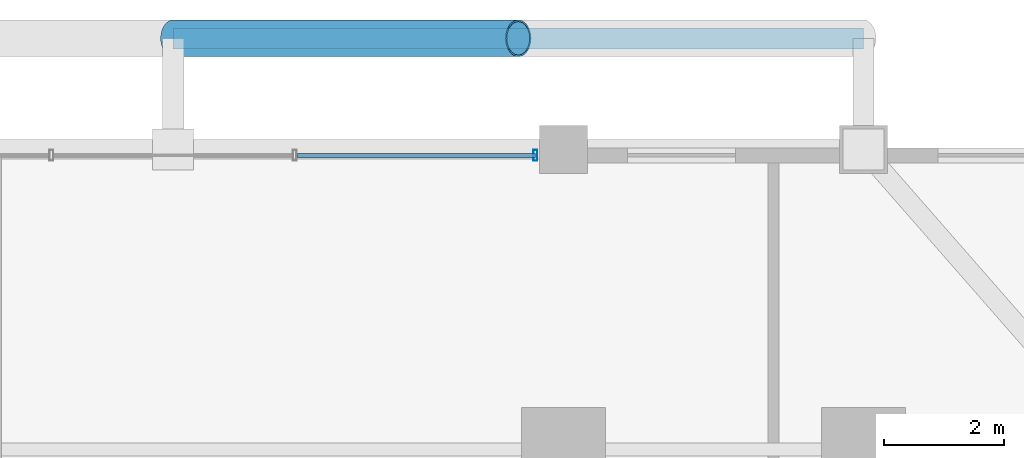
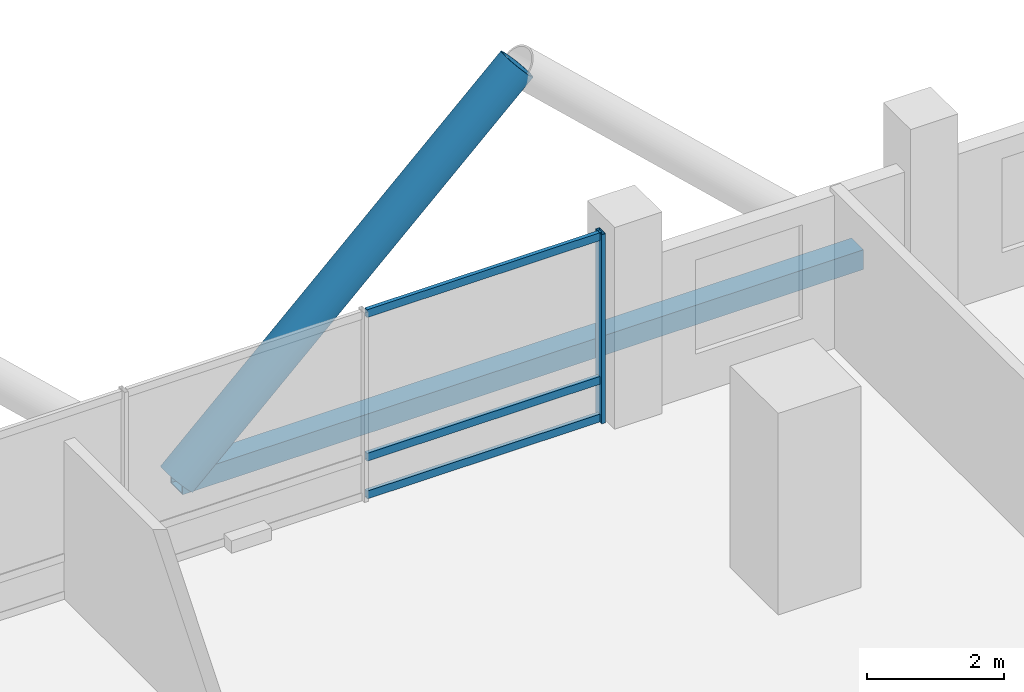
# One storey, part 17 of 26: 6 members, 1 element without a shape of its own.
"""IFC4 building model written with IfcOpenShell, lengths in metres."""

from ifc_helpers import new_model, si_unit, direction, frame, origin, origin_2d, place, context, subcontext, project, spatial, hollow_rectangle, hollow_circle, extrude, material, layer, layer_set, material_profile, profile_set, type_object, element, aggregate, save


model = new_model("IFC4")

# Units and contexts
model_context = context("Model", 3, precision=1e-05, world=origin(), true_north=direction((0.0, 1.0)))
body_context = subcontext(model_context, "Body", "Model", "MODEL_VIEW")
ifc_project = project(units=[si_unit("LENGTHUNIT", "METRE"), si_unit("AREAUNIT", "SQUARE_METRE"), si_unit("VOLUMEUNIT", "CUBIC_METRE"), si_unit("PLANEANGLEUNIT", "RADIAN"), si_unit("MASSUNIT", "GRAM", prefix="KILO")], contexts=[model_context])

# Site, building, storey
site_placement = place(None, origin())
site = spatial("IfcSite", under=ifc_project, at=site_placement, CompositionType="ELEMENT")
building_placement = place(site_placement, origin())
building = spatial("IfcBuilding", under=site, at=building_placement, Name="Barlavira Tower and Art Museum", CompositionType="ELEMENT")
storey_placement = place(building_placement, frame((0.0, 0.0, 82.800048828125)))
storey = spatial("IfcBuildingStorey", under=building, at=storey_placement, Name="L20", CompositionType="ELEMENT", Elevation=82.800048828125)

# Curtain wall, members
ifc_material_1 = material(Name="Low-iron coastal laminated glass", Category="glass")
ifc_layer = layer(ifc_material_1, 0.179931640625, Name="Low-iron coastal laminated glass")
ifc_layer_set = layer_set([ifc_layer], Name="Low-iron coastal laminated glass")
curtain_wall_type = type_object("IfcCurtainWallType", Name="Pale-Metal Unitised Curtain Wall Zone 1", PredefinedType="NOTDEFINED", material=ifc_layer_set)
curtain_wall_placement = place(storey_placement, origin())
curtain_wall = element("IfcCurtainWall", 1, at=curtain_wall_placement, inside=storey, type_object=curtain_wall_type, Name="L20 Curtain Wall CW1-L20-N-B3", PredefinedType="NOTDEFINED")
ifc_material_2 = material(Name="Pale anodised aluminium", Category="aluminium")
ifc_material_profile_1 = material_profile(ifc_material_2, hollow_rectangle(XDim=0.06494140625, YDim=0.179931640625, WallThickness=0.00390625, at=origin_2d()), Name="ALU-MULL 65x180x4")
ifc_profile_set_1 = profile_set([ifc_material_profile_1], Name="Pale anodised aluminium")
member_type_1 = type_object("IfcMemberType", Name="Curtain Wall Pale-Metal Mullion 65x180", PredefinedType="MULLION", material=ifc_profile_set_1)
member_1_placement = place(storey_placement, frame((6.034912109375, 24.89990234375, 0.0), z_axis=(0.0, 0.0, 1.0), x_axis=(-1.0, 0.0, 0.0)))
member_1 = element("IfcMember", 2, at=member_1_placement, type_object=member_type_1, Name="CW1-L20-N-B3 Mullion 0", PredefinedType="MULLION", context=body_context, shape_type="SweptSolid", body=[
    extrude(hollow_rectangle(XDim=0.06494140625, YDim=0.179931640625, WallThickness=0.00390625, at=origin_2d()), origin(), (0.0, 0.0, 1.0), 3.3798828125),
])
ifc_material_profile_2 = material_profile(ifc_material_2, hollow_rectangle(XDim=0.06494140625, YDim=0.139892578125, WallThickness=0.00390625, at=origin_2d()), Name="ALU-TRAN 65x140x4")
ifc_profile_set_2 = profile_set([ifc_material_profile_2], Name="Pale anodised aluminium")
member_type_2 = type_object("IfcMemberType", Name="Curtain Wall Pale-Metal Transom 65x140", PredefinedType="USERDEFINED", material=ifc_profile_set_2)
member_2_placement = place(storey_placement, frame((6.034912109375, 24.89990234375, 0.070068359375), z_axis=(-1.0, 0.0, 0.0), x_axis=(0.0, -1.0, 0.0)))
member_2 = element("IfcMember", 3, at=member_2_placement, type_object=member_type_2, Name="CW1-L20-N-B3 Transom 0.1", ObjectType="TRANSOM", PredefinedType="USERDEFINED", context=body_context, shape_type="SweptSolid", body=[
    extrude(hollow_rectangle(XDim=0.06494140625, YDim=0.139892578125, WallThickness=0.00390625, at=origin_2d()), origin(), (0.0, 0.0, 1.0), 3.963134765625),
])
member_3_placement = place(storey_placement, frame((6.034912109375, 24.89990234375, 0.743896484375), z_axis=(-1.0, 0.0, 0.0), x_axis=(0.0, -1.0, 0.0)))
member_3 = element("IfcMember", 4, at=member_3_placement, type_object=member_type_2, Name="CW1-L20-N-B3 Transom 0.2", ObjectType="TRANSOM", PredefinedType="USERDEFINED", context=body_context, shape_type="SweptSolid", body=[
    extrude(hollow_rectangle(XDim=0.06494140625, YDim=0.139892578125, WallThickness=0.00390625, at=origin_2d()), origin(), (0.0, 0.0, 1.0), 3.963134765625),
])
member_4_placement = place(storey_placement, frame((6.034912109375, 24.89990234375, 3.31005859375), z_axis=(-1.0, 0.0, 0.0), x_axis=(0.0, -1.0, 0.0)))
member_4 = element("IfcMember", 5, at=member_4_placement, type_object=member_type_2, Name="CW1-L20-N-B3 Transom 0.3", ObjectType="TRANSOM", PredefinedType="USERDEFINED", context=body_context, shape_type="SweptSolid", body=[
    extrude(hollow_rectangle(XDim=0.06494140625, YDim=0.139892578125, WallThickness=0.00390625, at=origin_2d()), origin(), (0.0, 0.0, 1.0), 3.963134765625),
])
aggregate(curtain_wall, [member_1, member_2, member_3, member_4])

# Members
ifc_material_3 = material(Name="Steel S355", Category="steel")
ifc_material_profile_3 = material_profile(ifc_material_3, hollow_circle(Radius=0.304931640625, WallThickness=0.028076171875, at=origin_2d()), Name="CHS 610.0x28.0")
ifc_profile_set_3 = profile_set([ifc_material_profile_3], Name="Steel S355")
member_type_3 = type_object("IfcMemberType", Name="Pale-Metal Exoskeleton Diagrid Tube CHS 610x28 Steel S355", PredefinedType="BRACE", material=ifc_profile_set_3)
member_5_placement = place(storey_placement, frame((0.0, 26.85009765625, -0.1201171875), z_axis=(0.728934650808, 0.0, 0.684583285548), x_axis=(0.0, 1.0, 0.0)))
element("IfcMember", 6, at=member_5_placement, inside=storey, type_object=member_type_3, Name="L20 Exoskeleton Diagrid Tube N", PredefinedType="BRACE", context=body_context, shape_type="SweptSolid", body=[
    extrude(hollow_circle(Radius=0.304931640625, WallThickness=0.028076171875, at=origin_2d()), origin(), (0.0, 0.0, 1.0), 7.88818359375),
])
ifc_material_profile_4 = material_profile(ifc_material_3, hollow_rectangle(XDim=0.35009765625, YDim=0.35009765625, WallThickness=0.02001953125, at=origin_2d()), Name="SHS 350x350x20.0")
ifc_profile_set_4 = profile_set([ifc_material_profile_4], Name="Steel S355")
member_type_4 = type_object("IfcMemberType", Name="Pale-Metal Exoskeleton Ring Strut SHS 350x350x20 Steel S355", PredefinedType="STRUT", material=ifc_profile_set_4)
member_6_placement = place(storey_placement, frame((0.0, 26.85009765625, -0.1201171875), z_axis=(1.0, 0.0, 0.0), x_axis=(0.0, 1.0, 0.0)))
element("IfcMember", 7, at=member_6_placement, inside=storey, type_object=member_type_4, Name="L20 Exoskeleton Ring Strut N", PredefinedType="STRUT", context=body_context, shape_type="SweptSolid", body=[
    extrude(hollow_rectangle(XDim=0.35009765625, YDim=0.35009765625, WallThickness=0.02001953125, at=origin_2d()), origin(), (0.0, 0.0, 1.0), 11.5),
])

save(model, "model.ifc")
